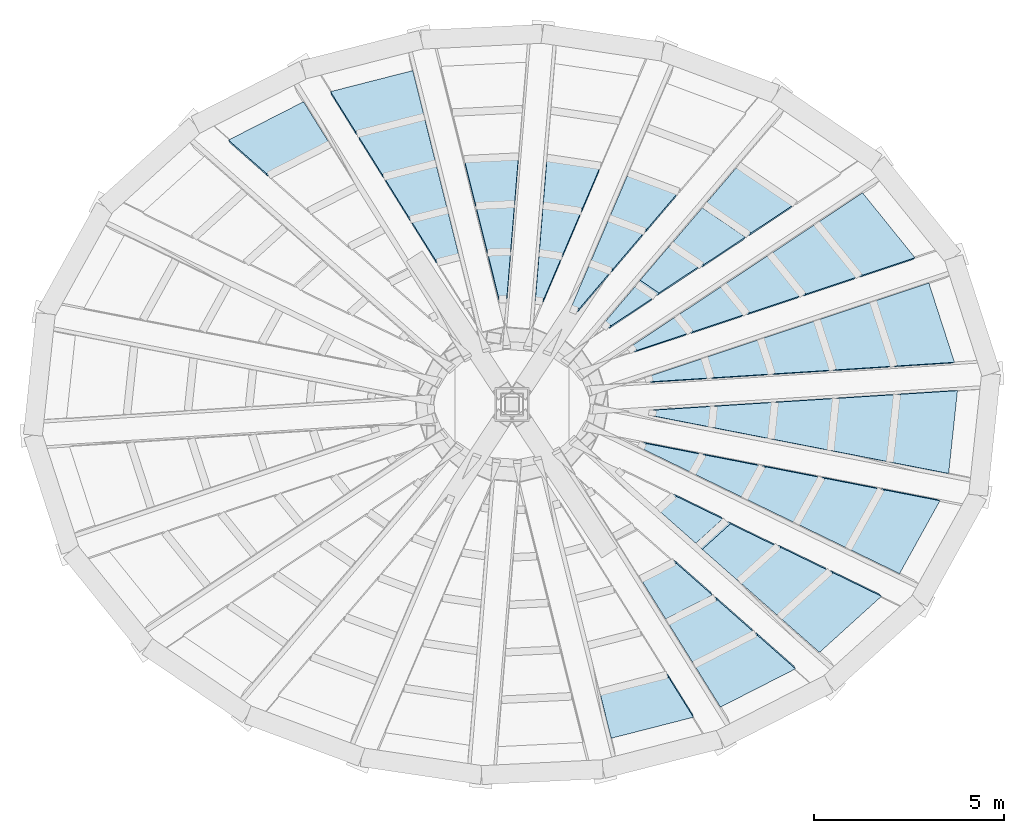
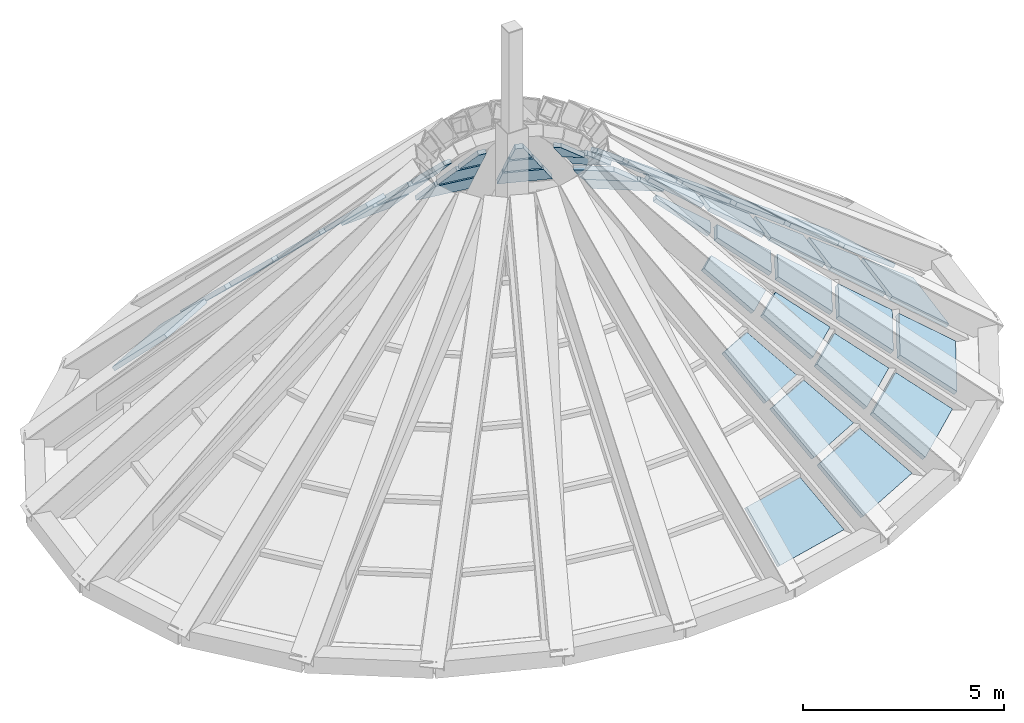
# One storey, part 7 of 9: 46 plates, 1 element without a shape of its own.
"""IFC4 building model written with IfcOpenShell, lengths in metres."""

import ifcopenshell
import ifcopenshell.guid

model = None  # the IFC model being written
_history = None  # IfcOwnerHistory: only IFC2X3 demands one
_inside = {}  # id of a spatial element -> (the spatial element, [elements in it])
_under = {}  # id of a project, library or spatial element -> (it, [spatial elements below it])
_declared = {}  # id of a project -> (the project, [libraries it declares])
_typed = {}  # id of a type object -> (the type object, [elements of that type])
_made_of = {}  # id of a material, layer set ... -> (it, [elements and type objects made of it])


def new_model(schema):
    """Start an empty IFC model of exactly this schema.

    Asked for "IFC4X3", IfcOpenShell would pick the latest addendum, in which some entities
    have other attributes; the version numbers below select the first issue.
    IFC2X3 requires an IfcOwnerHistory on every rooted entity: one is made here for all.
    """
    global model, _history
    if schema == "IFC4X3":
        model = ifcopenshell.file(schema_version=(4, 3, 0, 0))
    else:
        model = ifcopenshell.file(schema=schema)
    _inside.clear()
    _under.clear()
    _declared.clear()
    _typed.clear()
    _made_of.clear()
    _history = None
    if model.schema == "IFC2X3":
        org = make("IfcOrganization", Name="unknown")
        user = make(
            "IfcPersonAndOrganization",
            ThePerson=make("IfcPerson", FamilyName="unknown"),
            TheOrganization=org,
        )
        app = make(
            "IfcApplication",
            ApplicationDeveloper=org,
            Version="unknown",
            ApplicationFullName="unknown",
            ApplicationIdentifier="unknown",
        )
        _history = make(
            "IfcOwnerHistory",
            OwningUser=user,
            OwningApplication=app,
            ChangeAction="ADDED",
            CreationDate=0,
        )
    return model


def make(cls, **values):
    """One entity of the class cls with the attributes given. An attribute that is None is left unset."""
    return model.create_entity(
        cls, **{name: value for name, value in values.items() if value is not None}
    )


def rooted(cls, **values):
    """An entity with a GlobalId (a new one), such as an element, a storey or a relation."""
    return make(cls, GlobalId=ifcopenshell.guid.new(), OwnerHistory=_history, **values)


def si_unit(unit_type, name, prefix=None):
    """IfcSIUnit, for example si_unit("LENGTHUNIT", "METRE", prefix="MILLI")."""
    return make("IfcSIUnit", UnitType=unit_type, Prefix=prefix, Name=name)


def assignment(units):
    """IfcUnitAssignment: the units of a project."""
    return None if units is None else make("IfcUnitAssignment", Units=units)


def point(xyz):
    """IfcCartesianPoint."""
    return None if xyz is None else make("IfcCartesianPoint", Coordinates=xyz)


def direction(xyz):
    """IfcDirection."""
    return None if xyz is None else make("IfcDirection", DirectionRatios=xyz)


def frame(location, z_axis=None, x_axis=None):
    """IfcAxis2Placement3D, a coordinate frame: its origin and axes. An axis left out is left unset."""
    return make(
        "IfcAxis2Placement3D",
        Location=point(location),
        Axis=direction(z_axis),
        RefDirection=direction(x_axis),
    )


def origin():
    """The frame at (0, 0, 0) with its axes left unset."""
    return frame((0.0, 0.0, 0.0))


def place(relative_to, where):
    """IfcLocalPlacement: puts the frame where relative to a parent placement (None: the world)."""
    return make(
        "IfcLocalPlacement", PlacementRelTo=relative_to, RelativePlacement=where
    )


def context(
    kind, dimensions, precision=None, world=None, true_north=None, identifier=None
):
    """IfcGeometricRepresentationContext, for example the 3D "Model" context."""
    return make(
        "IfcGeometricRepresentationContext",
        ContextIdentifier=identifier,
        ContextType=kind,
        CoordinateSpaceDimension=dimensions,
        Precision=precision,
        WorldCoordinateSystem=world,
        TrueNorth=true_north,
    )


def subcontext(parent, identifier, kind, view, scale=None):
    """IfcGeometricRepresentationSubContext, for example "Body" below "Model"."""
    return make(
        "IfcGeometricRepresentationSubContext",
        ContextIdentifier=identifier,
        ContextType=kind,
        ParentContext=parent,
        TargetScale=scale,
        TargetView=view,
    )


def project(units=None, contexts=None):
    """IfcProject with its units and contexts."""
    return rooted(
        "IfcProject",
        Name="project",
        RepresentationContexts=contexts,
        UnitsInContext=assignment(units),
    )


def spatial(cls, under=None, at=None, **own):
    """A site, building, storey or space (cls), placed at a placement, below another one or the project."""
    s = rooted(cls, ObjectPlacement=at, **own)
    if under is not None:
        _under.setdefault(under.id(), (under, []))[1].append(s)
    return s


def polyline(points):
    """IfcPolyline through the points."""
    return make("IfcPolyline", Points=[point(p) for p in points])


def outline(outer, holes=None, kind="AREA"):
    """IfcArbitraryClosedProfileDef: a profile drawn as a closed curve; with holes, ...WithVoids."""
    if holes is None:
        return make("IfcArbitraryClosedProfileDef", ProfileType=kind, OuterCurve=outer)
    return make(
        "IfcArbitraryProfileDefWithVoids",
        ProfileType=kind,
        OuterCurve=outer,
        InnerCurves=holes,
    )


def extrude(swept, where, along, depth):
    """IfcExtrudedAreaSolid: the profile swept, set in the frame where, extruded along a direction by depth."""
    return make(
        "IfcExtrudedAreaSolid",
        SweptArea=swept,
        Position=where,
        ExtrudedDirection=direction(along),
        Depth=depth,
    )


def shape(context_of_items, identifier, shape_type, items):
    """IfcShapeRepresentation: the items that make up one representation, for example the "Body"."""
    return make(
        "IfcShapeRepresentation",
        ContextOfItems=context_of_items,
        RepresentationIdentifier=identifier,
        RepresentationType=shape_type,
        Items=items,
    )


def source(mapping_origin, context_of_items, identifier, shape_type, items):
    """IfcRepresentationMap: a shape defined once, which mapped items show again and again."""
    return make(
        "IfcRepresentationMap",
        MappingOrigin=mapping_origin,
        MappedRepresentation=shape(context_of_items, identifier, shape_type, items),
    )


def transform(
    local_origin,
    x_axis=None,
    y_axis=None,
    z_axis=None,
    scale=None,
    scale2=None,
    scale3=None,
    uniform=True,
):
    """IfcCartesianTransformationOperator3D, or its non-uniform kind. x_axis, y_axis, z_axis: its Axis1, 2, 3."""
    if uniform:
        return make(
            "IfcCartesianTransformationOperator3D",
            Axis1=direction(x_axis),
            Axis2=direction(y_axis),
            LocalOrigin=point(local_origin),
            Scale=scale,
            Axis3=direction(z_axis),
        )
    return make(
        "IfcCartesianTransformationOperator3DnonUniform",
        Axis1=direction(x_axis),
        Axis2=direction(y_axis),
        LocalOrigin=point(local_origin),
        Scale=scale,
        Axis3=direction(z_axis),
        Scale2=scale2,
        Scale3=scale3,
    )


def mapped(mapping_source, mapping_target):
    """IfcMappedItem: shows the shape of a source again, moved by a transform."""
    return make(
        "IfcMappedItem", MappingSource=mapping_source, MappingTarget=mapping_target
    )


def material(Name=None, Category=None):
    """IfcMaterial."""
    return make("IfcMaterial", Name=Name, Category=Category)


def layer(
    of_material, thickness, ventilated=None, Name=None, Category=None, Priority=None
):
    """IfcMaterialLayer: one layer of a wall or slab, of a material (None: an air gap)."""
    return make(
        "IfcMaterialLayer",
        Material=of_material,
        LayerThickness=thickness,
        IsVentilated=ventilated,
        Name=Name,
        Category=Category,
        Priority=Priority,
    )


def layer_set(layers, Name=None):
    """IfcMaterialLayerSet."""
    return make("IfcMaterialLayerSet", MaterialLayers=layers, LayerSetName=Name)


def made_of(thing, what):
    """Note that an element or type object is made of a material, layer set ...; save() writes the relation."""
    if what is not None:
        _made_of.setdefault(what.id(), (what, []))[1].append(thing)
    return thing


def type_object(cls, material=None, **own):
    """A type object (cls), such as IfcWallType, which elements share."""
    return made_of(rooted(cls, **own), material)


def element(
    cls,
    number,
    at=None,
    inside=None,
    cuts=None,
    type_object=None,
    material=None,
    context=None,
    identifier="Body",
    shape_type=None,
    held_by="IfcProductDefinitionShape",
    body=None,
    shapes=None,
    **own,
):
    """One element of the class cls, such as IfcWall. Its Tag is "e" and its number.

    at: its placement. inside: the storey or other place that contains it. cuts: it is an
    opening in that element (IfcRelVoidsElement). A single representation is given by context,
    identifier, shape_type and body (its items); several are given by shapes. held_by: the class
    of the entity that holds the representations. save() writes the other relations.
    """
    e = rooted(cls, Tag="e%d" % number, ObjectPlacement=at, **own)
    if body is not None:
        shapes = [shape(context, identifier, shape_type, body)]
    if shapes is not None:
        e.Representation = make(held_by, Representations=shapes)
    if inside is not None:
        _inside.setdefault(inside.id(), (inside, []))[1].append(e)
    if cuts is not None:
        rooted(
            "IfcRelVoidsElement", RelatingBuildingElement=cuts, RelatedOpeningElement=e
        )
    if type_object is not None:
        _typed.setdefault(type_object.id(), (type_object, []))[1].append(e)
    return made_of(e, material)


def aggregate(whole, parts):
    """IfcRelAggregates: a whole, such as a stair, and the parts it consists of."""
    return rooted("IfcRelAggregates", RelatingObject=whole, RelatedObjects=parts)


def save(model, path):
    """Write the relations noted so far, then the file.

    IfcRelAggregates (storeys below a building ...), IfcRelContainedInSpatialStructure (elements
    in a storey), IfcRelDefinesByType, IfcRelAssociatesMaterial and IfcRelDeclares: one each for
    every whole, place, type object, material and project.
    """
    for whole, parts in _under.values():
        aggregate(whole, parts)
    for where, things in _inside.values():
        rooted(
            "IfcRelContainedInSpatialStructure",
            RelatedElements=things,
            RelatingStructure=where,
        )
    for kind, things in _typed.values():
        rooted("IfcRelDefinesByType", RelatedObjects=things, RelatingType=kind)
    for what, things in _made_of.values():
        rooted("IfcRelAssociatesMaterial", RelatedObjects=things, RelatingMaterial=what)
    for by, libraries in _declared.values():
        rooted("IfcRelDeclares", RelatingContext=by, RelatedDefinitions=libraries)
    model.write(path)


model = new_model("IFC4")

# Units and contexts
model_context = context("Model", 3, precision=1e-05, world=origin(), true_north=direction((0.0, 1.0)))
body_context = subcontext(model_context, "Body", "Model", "MODEL_VIEW")
ifc_project = project(units=[si_unit("LENGTHUNIT", "METRE"), si_unit("AREAUNIT", "SQUARE_METRE"), si_unit("VOLUMEUNIT", "CUBIC_METRE"), si_unit("PLANEANGLEUNIT", "RADIAN"), si_unit("MASSUNIT", "GRAM", prefix="KILO")], contexts=[model_context])

# Site, building, storey
site_placement = place(None, origin())
site = spatial("IfcSite", under=ifc_project, at=site_placement, CompositionType="ELEMENT")
building_placement = place(site_placement, origin())
building = spatial("IfcBuilding", under=site, at=building_placement, Name="Embergate Tower", CompositionType="ELEMENT")
storey_placement = place(building_placement, frame((0.0, 0.0, 374.5)))
storey = spatial("IfcBuildingStorey", under=building, at=storey_placement, Name="Roof", CompositionType="ELEMENT", Elevation=374.5)

# Curtain wall, plates
ifc_material_1 = material(Name="Aluminium and glass", Category="aluminium")
curtain_wall_type = type_object("IfcCurtainWallType", Name="Crown facet glazing", PredefinedType="NOTDEFINED", material=ifc_material_1)
curtain_wall_placement = place(storey_placement, origin())
curtain_wall = element("IfcCurtainWall", 1, at=curtain_wall_placement, inside=storey, type_object=curtain_wall_type, Name="Crown facet glazing Roof", ObjectType="CROWN FACET GLAZING", PredefinedType="USERDEFINED")
ifc_material_2 = material(Name="Insulated metal panel with terracotta-glazed ceramic skin", Category="masonry")
ifc_layer = layer(ifc_material_2, 0.1201171875)
ifc_layer_set = layer_set([ifc_layer], Name="Insulated metal panel with terracotta-glazed ceramic skin")
plate_type = type_object("IfcPlateType", Name="Crown apex insulated panel", PredefinedType="CURTAIN_PANEL", material=ifc_layer_set)
shared_shape_1 = source(origin(), body_context, "Body", "SweptSolid", [
    extrude(outline(polyline([(0.0, 0.0), (2.1982421875, 0.0), (2.185302734375, 1.882080078125), (0.371337890625, 1.8818359375), (0.0, 0.0)])), origin(), (0.0, 0.0, -1.0), 0.1201171875),
])
plate_1_placement = place(storey_placement, frame((11.67041015625, 1.110595703125, 0.025146484375), z_axis=(0.598193162231, 0.193328318322, 0.777681877116), x_axis=(-0.307521334545, 0.95154118607, -3.468966e-06)))
plate_1 = element("IfcPlate", 2, at=plate_1_placement, type_object=plate_type, Name="CW panel 1.1", PredefinedType="CURTAIN_PANEL", context=body_context, shape_type="MappedRepresentation", body=[
    mapped(shared_shape_1, transform((0.0, 0.0, 0.0))),
])
shared_shape_2 = source(origin(), body_context, "Body", "SweptSolid", [
    extrude(outline(polyline([(0.0, 0.0), (1.769287109375, 0.0), (1.7568359375, 1.792724609375), (0.35400390625, 1.792724609375), (0.0, 0.0)])), origin(), (0.0, 0.0, -1.0), 0.1201171875),
])
plate_2_placement = place(storey_placement, frame((9.988525390625, 1.002685546875, 1.345703125), z_axis=(0.598158169079, 0.193322552866, 0.777710225802), x_axis=(-0.307551370828, 0.951531478233, 1.5263227e-05)))
plate_2 = element("IfcPlate", 3, at=plate_2_placement, type_object=plate_type, Name="CW panel 1.2", PredefinedType="CURTAIN_PANEL", context=body_context, shape_type="MappedRepresentation", body=[
    mapped(shared_shape_2, transform((0.0, 0.0, 0.0))),
])
shared_shape_3 = source(origin(), body_context, "Body", "SweptSolid", [
    extrude(outline(polyline([(0.0, 0.0), (1.3583984375, 0.0), (1.345947265625, 1.79248046875), (0.353759765625, 1.79248046875), (0.0, 0.0)])), origin(), (0.0, 0.0, -1.0), 0.1201171875),
])
plate_3_placement = place(storey_placement, frame((8.3779296875, 0.8994140625, 2.610107421875), z_axis=(0.598116752418, 0.193322094085, 0.77774219277), x_axis=(-0.307540600818, 0.951534959292, -9.701836e-06)))
plate_3 = element("IfcPlate", 4, at=plate_3_placement, type_object=plate_type, Name="CW panel 1.3", PredefinedType="CURTAIN_PANEL", context=body_context, shape_type="MappedRepresentation", body=[
    mapped(shared_shape_3, transform((0.0, 0.0, 0.0))),
])
shared_shape_4 = source(origin(), body_context, "Body", "SweptSolid", [
    extrude(outline(polyline([(0.0, 0.0), (0.94775390625, 0.0), (0.935546875, 1.79248046875), (0.353759765625, 1.79248046875), (0.0, 0.0)])), origin(), (0.0, 0.0, -1.0), 0.1201171875),
])
plate_4_placement = place(storey_placement, frame((6.767578125, 0.7958984375, 3.87451171875), z_axis=(0.598110017981, 0.193349774308, 0.777740490888), x_axis=(-0.307573635106, 0.951524281696, -1.8171473e-05)))
plate_4 = element("IfcPlate", 5, at=plate_4_placement, type_object=plate_type, Name="CW panel 1.4", PredefinedType="CURTAIN_PANEL", context=body_context, shape_type="MappedRepresentation", body=[
    mapped(shared_shape_4, transform((0.0, 0.0, 0.0))),
])
shared_shape_5 = source(origin(), body_context, "Body", "SweptSolid", [
    extrude(outline(polyline([(0.0, 0.0), (0.537109375, 0.0), (0.52490234375, 1.79248046875), (0.354248046875, 1.79248046875), (0.0, 0.0)])), origin(), (0.0, 0.0, -1.0), 0.1201171875),
])
plate_5_placement = place(storey_placement, frame((5.156982421875, 0.692626953125, 5.138671875), z_axis=(0.598213465306, 0.193405730719, 0.777647010701), x_axis=(-0.307707467742, 0.951481008572, 6.7988238e-05)))
plate_5 = element("IfcPlate", 6, at=plate_5_placement, type_object=plate_type, Name="CW panel 1.5", PredefinedType="CURTAIN_PANEL", context=body_context, shape_type="MappedRepresentation", body=[
    mapped(shared_shape_5, transform((0.0, 0.0, 0.0))),
])
shared_shape_6 = source(origin(), body_context, "Body", "SweptSolid", [
    extrude(outline(polyline([(0.0, 0.0), (2.202392578125, 0.0), (2.331298828125, 1.812744140625), (0.512939453125, 1.8125), (0.0, 0.0)])), origin(), (0.0, 0.0, -1.0), 0.1201171875),
])
plate_6_placement = place(storey_placement, frame((10.630126953125, 3.8671875, 0.026123046875), z_axis=(0.508296458404, 0.410357957093, 0.757126843682), x_axis=(-0.62813951963, 0.778100728226, -2.4740948e-05)))
plate_6 = element("IfcPlate", 7, at=plate_6_placement, type_object=plate_type, Name="CW panel 2.1", PredefinedType="CURTAIN_PANEL", context=body_context, shape_type="MappedRepresentation", body=[
    mapped(shared_shape_6, transform((0.0, 0.0, 0.0))),
])
shared_shape_7 = source(origin(), body_context, "Body", "SweptSolid", [
    extrude(outline(polyline([(0.0, 0.0), (1.773681640625, 0.0), (1.896728515625, 1.727294921875), (0.489013671875, 1.727294921875), (0.0, 0.0)])), origin(), (0.0, 0.0, -1.0), 0.1201171875),
])
plate_7_placement = place(storey_placement, frame((9.0791015625, 3.3505859375, 1.34765625), z_axis=(0.508307976596, 0.410396399686, 0.757098273709), x_axis=(-0.628183835486, 0.778064951532, -5.548136e-06)))
plate_7 = element("IfcPlate", 8, at=plate_7_placement, type_object=plate_type, Name="CW panel 2.2", PredefinedType="CURTAIN_PANEL", context=body_context, shape_type="MappedRepresentation", body=[
    mapped(shared_shape_7, transform((0.0, 0.0, 0.0))),
])
shared_shape_8 = source(origin(), body_context, "Body", "SweptSolid", [
    extrude(outline(polyline([(0.0, 0.0), (1.36328125, 0.0), (1.486083984375, 1.7275390625), (0.48876953125, 1.727294921875), (0.0, 0.0)])), origin(), (0.0, 0.0, -1.0), 0.1201171875),
])
plate_8_placement = place(storey_placement, frame((7.593017578125, 2.85595703125, 2.613525390625), z_axis=(0.508316758438, 0.410288101275, 0.757151072801), x_axis=(-0.628077625983, 0.778150689595, -4.736244e-06)))
plate_8 = element("IfcPlate", 9, at=plate_8_placement, type_object=plate_type, Name="CW panel 2.3", PredefinedType="CURTAIN_PANEL", context=body_context, shape_type="MappedRepresentation", body=[
    mapped(shared_shape_8, transform((0.0, 0.0, 0.0))),
])
shared_shape_9 = source(origin(), body_context, "Body", "SweptSolid", [
    extrude(outline(polyline([(0.0, 0.0), (0.952880859375, 0.0), (1.07568359375, 1.7275390625), (0.48876953125, 1.727294921875), (0.0, 0.0)])), origin(), (0.0, 0.0, -1.0), 0.1201171875),
])
plate_9_placement = place(storey_placement, frame((6.107177734375, 2.361083984375, 3.87939453125), z_axis=(0.508320637984, 0.410323628909, 0.757129215233), x_axis=(-0.628066613025, 0.778159576873, -5.0242445e-05)))
plate_9 = element("IfcPlate", 10, at=plate_9_placement, type_object=plate_type, Name="CW panel 2.4", PredefinedType="CURTAIN_PANEL", context=body_context, shape_type="MappedRepresentation", body=[
    mapped(shared_shape_9, transform((0.0, 0.0, 0.0))),
])
shared_shape_10 = source(origin(), body_context, "Body", "SweptSolid", [
    extrude(outline(polyline([(0.0, 0.0), (0.542236328125, 0.0), (0.6650390625, 1.727294921875), (0.48876953125, 1.727294921875), (0.0, 0.0)])), origin(), (0.0, 0.0, -1.0), 0.1201171875),
])
plate_10_placement = place(storey_placement, frame((4.62109375, 1.866455078125, 5.145263671875), z_axis=(0.508302495641, 0.410415421153, 0.757091642408), x_axis=(-0.628174948703, 0.77807212536, -3.9499699e-05)))
plate_10 = element("IfcPlate", 11, at=plate_10_placement, type_object=plate_type, Name="CW panel 2.5", PredefinedType="CURTAIN_PANEL", context=body_context, shape_type="MappedRepresentation", body=[
    mapped(shared_shape_10, transform((0.0, 0.0, 0.0))),
])
shared_shape_11 = source(origin(), body_context, "Body", "SweptSolid", [
    extrude(outline(polyline([(0.0, 0.0), (1.78564453125, 0.0), (1.91845703125, 1.66162109375), (0.498291015625, 1.66162109375), (0.0, 0.0)])), origin(), (0.0, 0.0, -1.0), 0.1201171875),
])
plate_11_placement = place(storey_placement, frame((7.398193359375, 5.24609375, 1.35009765625), z_axis=(0.382386824934, 0.562623075299, 0.732963567483), x_axis=(-0.827067990154, 0.56210189426, 1.1469027e-05)))
plate_11 = element("IfcPlate", 12, at=plate_11_placement, type_object=plate_type, Name="CW panel 3.2", PredefinedType="CURTAIN_PANEL", context=body_context, shape_type="MappedRepresentation", body=[
    mapped(shared_shape_11, transform((0.0, 0.0, 0.0))),
])
shared_shape_12 = source(origin(), body_context, "Body", "SweptSolid", [
    extrude(outline(polyline([(0.0, 0.0), (1.37548828125, 0.0), (1.50830078125, 1.661865234375), (0.498291015625, 1.66162109375), (0.0, 0.0)])), origin(), (0.0, 0.0, -1.0), 0.1201171875),
])
plate_12_placement = place(storey_placement, frame((6.15673828125, 4.413818359375, 2.595703125), z_axis=(0.382408022245, 0.5627497516, 0.732855252827), x_axis=(-0.82708907907, 0.562070862577, -2.6934854e-05)))
plate_12 = element("IfcPlate", 13, at=plate_12_placement, type_object=plate_type, Name="CW panel 3.3", PredefinedType="CURTAIN_PANEL", context=body_context, shape_type="MappedRepresentation", body=[
    mapped(shared_shape_12, transform((0.0, 0.0, 0.0))),
])
shared_shape_13 = source(origin(), body_context, "Body", "SweptSolid", [
    extrude(outline(polyline([(0.0, 0.0), (0.96533203125, 0.0), (1.09814453125, 1.661865234375), (0.49853515625, 1.66162109375), (0.0, 0.0)])), origin(), (0.0, 0.0, -1.0), 0.1201171875),
])
plate_13_placement = place(storey_placement, frame((4.97265625, 3.666015625, 3.951416015625), z_axis=(0.382349286161, 0.56280286375, 0.732845113191), x_axis=(-0.827140346437, 0.561995413565, -4.9269829e-05)))
plate_13 = element("IfcPlate", 14, at=plate_13_placement, type_object=plate_type, Name="CW panel 3.4", PredefinedType="CURTAIN_PANEL", context=body_context, shape_type="MappedRepresentation", body=[
    mapped(shared_shape_13, transform((0.0, 0.0, 0.0))),
])
shared_shape_14 = source(origin(), body_context, "Body", "SweptSolid", [
    extrude(outline(polyline([(0.0, 0.0), (0.555419921875, 0.0), (0.6884765625, 1.661376953125), (0.498779296875, 1.661376953125), (0.0, 0.0)])), origin(), (0.0, 0.0, -1.0), 0.1201171875),
])
plate_14_placement = place(storey_placement, frame((3.70849609375, 2.800048828125, 5.1533203125), z_axis=(0.382123163301, 0.562929397511, 0.732865868687), x_axis=(-0.827331093721, 0.561714566225, -8.6329179e-05)))
plate_14 = element("IfcPlate", 15, at=plate_14_placement, type_object=plate_type, Name="CW panel 3.5", PredefinedType="CURTAIN_PANEL", context=body_context, shape_type="MappedRepresentation", body=[
    mapped(shared_shape_14, transform((0.0, 0.0, 0.0))),
])
shared_shape_15 = source(origin(), body_context, "Body", "SweptSolid", [
    extrude(outline(polyline([(0.0, 0.0), (1.39306640625, 0.0), (1.4462890625, 1.61572265625), (0.418701171875, 1.61572265625), (0.0, 0.0)])), origin(), (0.0, 0.0, -1.0), 0.1201171875),
])
plate_15_placement = place(storey_placement, frame((4.348876953125, 5.55078125, 2.62109375), z_axis=(0.244890645798, 0.656315409353, 0.713637621658), x_axis=(-0.936896773777, 0.349606113886, -2.0491873e-05)))
plate_15 = element("IfcPlate", 16, at=plate_15_placement, type_object=plate_type, Name="CW panel 4.3", PredefinedType="CURTAIN_PANEL", context=body_context, shape_type="MappedRepresentation", body=[
    mapped(shared_shape_15, transform((0.0, 0.0, 0.0))),
])
shared_shape_16 = source(origin(), body_context, "Body", "SweptSolid", [
    extrude(outline(polyline([(0.0, 0.0), (0.983154296875, 0.0), (1.036376953125, 1.61572265625), (0.4189453125, 1.615966796875), (0.0, 0.0)])), origin(), (0.0, 0.0, -1.0), 0.1201171875),
])
plate_16_placement = place(storey_placement, frame((3.45703125, 4.50390625, 3.89013671875), z_axis=(0.244943668321, 0.656389184479, 0.713551566356), x_axis=(-0.936932073815, 0.349511482615, 0.000112146188)))
plate_16 = element("IfcPlate", 17, at=plate_16_placement, type_object=plate_type, Name="CW panel 4.4", PredefinedType="CURTAIN_PANEL", context=body_context, shape_type="MappedRepresentation", body=[
    mapped(shared_shape_16, transform((0.0, 0.0, 0.0))),
])
shared_shape_17 = source(origin(), body_context, "Body", "SweptSolid", [
    extrude(outline(polyline([(0.0, 0.0), (0.572998046875, 0.0), (0.62646484375, 1.61572265625), (0.418701171875, 1.615966796875), (0.0, 0.0)])), origin(), (0.0, 0.0, -1.0), 0.1201171875),
])
plate_17_placement = place(storey_placement, frame((2.565185546875, 3.456787109375, 5.1591796875), z_axis=(0.244941381184, 0.656390320239, 0.713551306691), x_axis=(-0.936935199536, 0.349503101694, 0.000117369288)))
plate_17 = element("IfcPlate", 18, at=plate_17_placement, type_object=plate_type, Name="CW panel 4.5", PredefinedType="CURTAIN_PANEL", context=body_context, shape_type="MappedRepresentation", body=[
    mapped(shared_shape_17, transform((0.0, 0.0, 0.0))),
])
shared_shape_18 = source(origin(), body_context, "Body", "SweptSolid", [
    extrude(outline(polyline([(0.0, 0.0), (1.40625, 0.0), (1.33251953125, 1.591552734375), (0.291748046875, 1.591552734375), (0.0, 0.0)])), origin(), (0.0, 0.0, -1.0), 0.1201171875),
])
plate_18_placement = place(storey_placement, frame((2.308349609375, 6.224853515625, 2.622802734375), z_axis=(0.104850310195, 0.704187754041, 0.70222932117), x_axis=(-0.989099259264, 0.147250313534, 2.2067689e-05)))
plate_18 = element("IfcPlate", 19, at=plate_18_placement, type_object=plate_type, Name="CW panel 5.3", PredefinedType="CURTAIN_PANEL", context=body_context, shape_type="MappedRepresentation", body=[
    mapped(shared_shape_18, transform((0.0, 0.0, 0.0))),
])
shared_shape_19 = source(origin(), body_context, "Body", "SweptSolid", [
    extrude(outline(polyline([(0.0, 0.0), (0.996337890625, 0.0), (0.92236328125, 1.59130859375), (0.291748046875, 1.59130859375), (0.0, 0.0)])), origin(), (0.0, 0.0, -1.0), 0.1201171875),
])
plate_19_placement = place(storey_placement, frame((1.80029296875, 5.03369140625, 3.89306640625), z_axis=(0.104780629624, 0.704091651869, 0.702336077262), x_axis=(-0.989103390675, 0.147222558733, -2.7477632e-05)))
plate_19 = element("IfcPlate", 20, at=plate_19_placement, type_object=plate_type, Name="CW panel 5.4", PredefinedType="CURTAIN_PANEL", context=body_context, shape_type="MappedRepresentation", body=[
    mapped(shared_shape_19, transform((0.0, 0.0, 0.0))),
])
shared_shape_20 = source(origin(), body_context, "Body", "SweptSolid", [
    extrude(outline(polyline([(0.0, 0.0), (0.586181640625, 0.0), (0.51220703125, 1.591552734375), (0.29150390625, 1.591552734375), (0.0, 0.0)])), origin(), (0.0, 0.0, -1.0), 0.1201171875),
])
plate_20_placement = place(storey_placement, frame((1.292236328125, 3.84228515625, 5.1630859375), z_axis=(0.104899324295, 0.704139406817, 0.702270480321), x_axis=(-0.989079044708, 0.147386030156, -3.7860602e-05)))
plate_20 = element("IfcPlate", 21, at=plate_20_placement, type_object=plate_type, Name="CW panel 5.5", PredefinedType="CURTAIN_PANEL", context=body_context, shape_type="MappedRepresentation", body=[
    mapped(shared_shape_20, transform((0.0, 0.0, 0.0))),
])
shared_shape_21 = source(origin(), body_context, "Body", "SweptSolid", [
    extrude(outline(polyline([(0.0, 0.0), (1.408935546875, 0.0), (1.18896484375, 1.5869140625), (0.145751953125, 1.5869140625), (0.0, 0.0)])), origin(), (0.0, 0.0, -1.0), 0.1201171875),
])
plate_21_placement = place(storey_placement, frame((0.1640625, 6.468994140625, 2.623291015625), z_axis=(-0.034764458657, 0.713204599695, 0.700093301917), x_axis=(-0.998813960053, -0.048689559372, 3.415374e-06)))
plate_21 = element("IfcPlate", 22, at=plate_21_placement, type_object=plate_type, Name="CW panel 6.3", PredefinedType="CURTAIN_PANEL", context=body_context, shape_type="MappedRepresentation", body=[
    mapped(shared_shape_21, transform((0.0, 0.0, 0.0))),
])
shared_shape_22 = source(origin(), body_context, "Body", "SweptSolid", [
    extrude(outline(polyline([(0.0, 0.0), (0.998779296875, 0.0), (0.779296875, 1.5869140625), (0.145751953125, 1.5869140625), (0.0, 0.0)])), origin(), (0.0, 0.0, -1.0), 0.1201171875),
])
plate_22_placement = place(storey_placement, frame((0.061279296875, 5.21728515625, 3.8935546875), z_axis=(-0.034922810519, 0.713194277209, 0.70009593647), x_axis=(-0.998803737421, -0.048898814126, -9.540508e-06)))
plate_22 = element("IfcPlate", 23, at=plate_22_placement, type_object=plate_type, Name="CW panel 6.4", PredefinedType="CURTAIN_PANEL", context=body_context, shape_type="MappedRepresentation", body=[
    mapped(shared_shape_22, transform((0.0, 0.0, 0.0))),
])
shared_shape_23 = source(origin(), body_context, "Body", "SweptSolid", [
    extrude(outline(polyline([(0.0, 0.0), (0.589111328125, 0.0), (0.368896484375, 1.586669921875), (0.1455078125, 1.586669921875), (0.0, 0.0)])), origin(), (0.0, 0.0, -1.0), 0.1201171875),
])
plate_23_placement = place(storey_placement, frame((-0.041259765625, 3.96533203125, 5.163818359375), z_axis=(-0.034760955848, 0.713243316286, 0.700054032002), x_axis=(-0.99881897354, -0.048586512893, -9.4130816e-05)))
plate_23 = element("IfcPlate", 24, at=plate_23_placement, type_object=plate_type, Name="CW panel 6.5", PredefinedType="CURTAIN_PANEL", context=body_context, shape_type="MappedRepresentation", body=[
    mapped(shared_shape_23, transform((0.0, 0.0, 0.0))),
])
shared_shape_24 = source(origin(), body_context, "Body", "SweptSolid", [
    extrude(outline(polyline([(0.0, 0.0), (2.238037109375, 0.0), (1.862060546875, 1.677734375), (0.00732421875, 1.677734375), (0.0, 0.0)])), origin(), (0.0, 0.0, -1.0), 0.1201171875),
])
plate_24_placement = place(storey_placement, frame((-2.6171875, 8.8046875, 0.0283203125), z_axis=(-0.175137306786, 0.685318061701, 0.706870623295), x_axis=(-0.968860672422, -0.247606537419, 7.898857e-06)))
plate_24 = element("IfcPlate", 25, at=plate_24_placement, type_object=plate_type, Name="CW panel 7.1", PredefinedType="CURTAIN_PANEL", context=body_context, shape_type="MappedRepresentation", body=[
    mapped(shared_shape_24, transform((0.0, 0.0, 0.0))),
])
plate_25_placement = place(storey_placement, frame((2.6171875, -8.8046875, 0.0283203125), z_axis=(0.175137306786, -0.685318061701, 0.706870623295), x_axis=(0.968860672422, 0.247606537419, 7.898857e-06)))
plate_25 = element("IfcPlate", 26, at=plate_25_placement, type_object=plate_type, Name="CW panel 18.1", PredefinedType="CURTAIN_PANEL", context=body_context, shape_type="MappedRepresentation", body=[
    mapped(shared_shape_24, transform((0.0, 0.0, 0.0))),
])
shared_shape_25 = source(origin(), body_context, "Body", "SweptSolid", [
    extrude(outline(polyline([(0.0, 0.0), (1.810302734375, 0.0), (1.451171875, 1.60107421875), (0.006591796875, 1.60107421875), (0.0, 0.0)])), origin(), (0.0, 0.0, -1.0), 0.1201171875),
])
plate_26_placement = place(storey_placement, frame((-2.297607421875, 7.5205078125, 1.352294921875), z_axis=(-0.175087650878, 0.685335511028, 0.706866006987), x_axis=(-0.968886612849, -0.247505011915, -2.2786763e-05)))
plate_26 = element("IfcPlate", 27, at=plate_26_placement, type_object=plate_type, Name="CW panel 7.2", PredefinedType="CURTAIN_PANEL", context=body_context, shape_type="MappedRepresentation", body=[
    mapped(shared_shape_25, transform((0.0, 0.0, 0.0))),
])
shared_shape_26 = source(origin(), body_context, "Body", "SweptSolid", [
    extrude(outline(polyline([(0.0, 0.0), (1.400390625, 0.0), (1.041259765625, 1.60107421875), (0.0068359375, 1.60107421875), (0.0, 0.0)])), origin(), (0.0, 0.0, -1.0), 0.1201171875),
])
plate_27_placement = place(storey_placement, frame((-1.990966796875, 6.289306640625, 2.6220703125), z_axis=(-0.175117875524, 0.685364127659, 0.706830773375), x_axis=(-0.968870554844, -0.247567865124, 1.0724908e-05)))
plate_27 = element("IfcPlate", 28, at=plate_27_placement, type_object=plate_type, Name="CW panel 7.3", PredefinedType="CURTAIN_PANEL", context=body_context, shape_type="MappedRepresentation", body=[
    mapped(shared_shape_26, transform((0.0, 0.0, 0.0))),
])
shared_shape_27 = source(origin(), body_context, "Body", "SweptSolid", [
    extrude(outline(polyline([(0.0, 0.0), (0.990478515625, 0.0), (0.63134765625, 1.60107421875), (0.0068359375, 1.601318359375), (0.0, 0.0)])), origin(), (0.0, 0.0, -1.0), 0.1201171875),
])
plate_28_placement = place(storey_placement, frame((-1.68408203125, 5.05810546875, 3.891845703125), z_axis=(-0.174931652097, 0.685398465736, 0.706843589673), x_axis=(-0.968918459317, -0.247380298511, 8.4276377e-05)))
plate_28 = element("IfcPlate", 29, at=plate_28_placement, type_object=plate_type, Name="CW panel 7.4", PredefinedType="CURTAIN_PANEL", context=body_context, shape_type="MappedRepresentation", body=[
    mapped(shared_shape_27, transform((0.0, 0.0, 0.0))),
])
shared_shape_28 = source(origin(), body_context, "Body", "SweptSolid", [
    extrude(outline(polyline([(0.0, 0.0), (2.221923828125, 0.0), (1.73291015625, 1.71533203125), (-0.10595703125, 1.71533203125), (0.0, 0.0)])), origin(), (0.0, 0.0, -1.0), 0.1201171875),
])
plate_29_placement = place(storey_placement, frame((-5.49853515625, 7.983154296875, 0.027587890625), z_axis=(-0.314299047361, 0.616041101428, 0.722294586841), x_axis=(-0.890769217259, -0.454455940161, -6.061897e-06)))
plate_29 = element("IfcPlate", 30, at=plate_29_placement, type_object=plate_type, Name="CW panel 8.1", PredefinedType="CURTAIN_PANEL", context=body_context, shape_type="MappedRepresentation", body=[
    mapped(shared_shape_28, transform((0.0, 0.0, 0.0))),
])
plate_30_placement = place(storey_placement, frame((5.49853515625, -7.983154296875, 0.027587890625), z_axis=(0.314299047361, -0.616041101428, 0.722294586841), x_axis=(0.890769217259, 0.454455940161, -6.061897e-06)))
plate_30 = element("IfcPlate", 31, at=plate_30_placement, type_object=plate_type, Name="CW panel 19.1", PredefinedType="CURTAIN_PANEL", context=body_context, shape_type="MappedRepresentation", body=[
    mapped(shared_shape_28, transform((0.0, 0.0, 0.0))),
])
shared_shape_29 = source(origin(), body_context, "Body", "SweptSolid", [
    extrude(outline(polyline([(0.0, 0.0), (1.79443359375, 0.0), (1.32763671875, 1.635986328125), (-0.10107421875, 1.635986328125), (0.0, 0.0)])), origin(), (0.0, 0.0, -1.0), 0.1201171875),
])
plate_31_placement = place(storey_placement, frame((4.764892578125, -6.8056640625, 1.35107421875), z_axis=(0.314337053375, -0.615997958289, 0.72231484289), x_axis=(0.890727263429, 0.454538163542, 8.302971e-06)))
plate_31 = element("IfcPlate", 32, at=plate_31_placement, type_object=plate_type, Name="CW panel 19.2", PredefinedType="CURTAIN_PANEL", context=body_context, shape_type="MappedRepresentation", body=[
    mapped(shared_shape_29, transform((0.0, 0.0, 0.0))),
])
shared_shape_30 = source(origin(), body_context, "Body", "SweptSolid", [
    extrude(outline(polyline([(0.0, 0.0), (1.384521484375, 0.0), (0.917724609375, 1.635986328125), (-0.100830078125, 1.63623046875), (0.0, 0.0)])), origin(), (0.0, 0.0, -1.0), 0.1201171875),
])
plate_32_placement = place(storey_placement, frame((4.05224609375, -5.658447265625, 2.597900390625), z_axis=(0.314310747379, -0.615976002016, 0.722345013842), x_axis=(0.89071570023, 0.45456081962, 5.1275914e-05)))
plate_32 = element("IfcPlate", 33, at=plate_32_placement, type_object=plate_type, Name="CW panel 19.3", PredefinedType="CURTAIN_PANEL", context=body_context, shape_type="MappedRepresentation", body=[
    mapped(shared_shape_30, transform((0.0, 0.0, 0.0))),
])
shared_shape_31 = source(origin(), body_context, "Body", "SweptSolid", [
    extrude(outline(polyline([(0.0, 0.0), (2.20654296875, 0.0), (1.67431640625, 1.775634765625), (-0.148681640625, 1.775634765625), (0.0, 0.0)])), origin(), (0.0, 0.0, -1.0), 0.1201171875),
])
plate_33_placement = place(storey_placement, frame((8.110107421875, -6.540771484375, 0.026611328125), z_axis=(0.447996241954, -0.494530279901, 0.744808142716), x_axis=(0.741106982002, 0.671386953337, 1.0788191e-05)))
plate_33 = element("IfcPlate", 34, at=plate_33_placement, type_object=plate_type, Name="CW panel 20.1", PredefinedType="CURTAIN_PANEL", context=body_context, shape_type="MappedRepresentation", body=[
    mapped(shared_shape_31, transform((0.0, 0.0, 0.0))),
])
shared_shape_32 = source(origin(), body_context, "Body", "SweptSolid", [
    extrude(outline(polyline([(0.0, 0.0), (1.7783203125, 0.0), (1.27099609375, 1.692626953125), (-0.141357421875, 1.692626953125), (0.0, 0.0)])), origin(), (0.0, 0.0, -1.0), 0.1201171875),
])
plate_34_placement = place(storey_placement, frame((6.99658203125, -5.55859375, 1.348876953125), z_axis=(0.447992557776, -0.494502098532, 0.744829069468), x_axis=(0.741072265199, 0.671425272463, 3.5372756e-05)))
plate_34 = element("IfcPlate", 35, at=plate_34_placement, type_object=plate_type, Name="CW panel 20.2", PredefinedType="CURTAIN_PANEL", context=body_context, shape_type="MappedRepresentation", body=[
    mapped(shared_shape_32, transform((0.0, 0.0, 0.0))),
])
shared_shape_33 = source(origin(), body_context, "Body", "SweptSolid", [
    extrude(outline(polyline([(0.0, 0.0), (1.3681640625, 0.0), (0.8603515625, 1.692626953125), (-0.141845703125, 1.6923828125), (0.0, 0.0)])), origin(), (0.0, 0.0, -1.0), 0.1201171875),
])
plate_35_placement = place(storey_placement, frame((5.9697265625, -4.66162109375, 2.6826171875), z_axis=(0.447906871408, -0.494642589155, 0.744787314299), x_axis=(0.741282877647, 0.671192739952, -3.3808099e-05)))
plate_35 = element("IfcPlate", 36, at=plate_35_placement, type_object=plate_type, Name="CW panel 20.3", PredefinedType="CURTAIN_PANEL", context=body_context, shape_type="MappedRepresentation", body=[
    mapped(shared_shape_33, transform((0.0, 0.0, 0.0))),
])
shared_shape_34 = source(origin(), body_context, "Body", "SweptSolid", [
    extrude(outline(polyline([(0.0, 0.0), (0.957763671875, 0.0), (0.449951171875, 1.6923828125), (-0.141845703125, 1.6923828125), (0.0, 0.0)])), origin(), (0.0, 0.0, -1.0), 0.1201171875),
])
plate_36_placement = place(storey_placement, frame((4.84912109375, -3.6611328125, 3.860107421875), z_axis=(0.447901890097, -0.494689763593, 0.744758977551), x_axis=(0.741290346589, 0.671184491806, 3.69278e-06)))
plate_36 = element("IfcPlate", 37, at=plate_36_placement, type_object=plate_type, Name="CW panel 20.4", PredefinedType="CURTAIN_PANEL", context=body_context, shape_type="MappedRepresentation", body=[
    mapped(shared_shape_34, transform((0.0, 0.0, 0.0))),
])
shared_shape_35 = source(origin(), body_context, "Body", "SweptSolid", [
    extrude(outline(polyline([(0.0, 0.0), (2.199462890625, 0.0), (1.739501953125, 1.849853515625), (-0.07568359375, 1.849853515625), (0.0, 0.0)])), origin(), (0.0, 0.0, -1.0), 0.1201171875),
])
plate_37_placement = place(storey_placement, frame((10.22216796875, -4.4638671875, 0.025634765625), z_axis=(0.559753750147, -0.309655976869, 0.768627943277), x_axis=(0.484073432705, 0.875027377695, -5.804988e-06)))
plate_37 = element("IfcPlate", 38, at=plate_37_placement, type_object=plate_type, Name="CW panel 21.1", PredefinedType="CURTAIN_PANEL", context=body_context, shape_type="MappedRepresentation", body=[
    mapped(shared_shape_35, transform((0.0, 0.0, 0.0))),
])
shared_shape_36 = source(origin(), body_context, "Body", "SweptSolid", [
    extrude(outline(polyline([(0.0, 0.0), (1.77099609375, 0.0), (1.33251953125, 1.7626953125), (-0.072265625, 1.762451171875), (0.0, 0.0)])), origin(), (0.0, 0.0, -1.0), 0.1201171875),
])
plate_38_placement = place(storey_placement, frame((8.79248046875, -3.769775390625, 1.346435546875), z_axis=(0.559817785852, -0.309714689642, 0.768557647586), x_axis=(0.484130941218, 0.874995560331, -3.4002874e-05)))
plate_38 = element("IfcPlate", 39, at=plate_38_placement, type_object=plate_type, Name="CW panel 21.2", PredefinedType="CURTAIN_PANEL", context=body_context, shape_type="MappedRepresentation", body=[
    mapped(shared_shape_36, transform((0.0, 0.0, 0.0))),
])
shared_shape_37 = source(origin(), body_context, "Body", "SweptSolid", [
    extrude(outline(polyline([(0.0, 0.0), (1.35986328125, 0.0), (0.921630859375, 1.762451171875), (-0.072509765625, 1.762451171875), (0.0, 0.0)])), origin(), (0.0, 0.0, -1.0), 0.1201171875),
])
plate_39_placement = place(storey_placement, frame((7.423583984375, -3.10498046875, 2.611572265625), z_axis=(0.55970463689, -0.309774887345, 0.768615793888), x_axis=(0.484195835053, 0.874959651284, 4.4070608e-05)))
plate_39 = element("IfcPlate", 40, at=plate_39_placement, type_object=plate_type, Name="CW panel 21.3", PredefinedType="CURTAIN_PANEL", context=body_context, shape_type="MappedRepresentation", body=[
    mapped(shared_shape_37, transform((0.0, 0.0, 0.0))),
])
shared_shape_38 = source(origin(), body_context, "Body", "SweptSolid", [
    extrude(outline(polyline([(0.0, 0.0), (0.94921875, 0.0), (0.5107421875, 1.76220703125), (-0.072509765625, 1.762451171875), (0.0, 0.0)])), origin(), (0.0, 0.0, -1.0), 0.1201171875),
])
plate_40_placement = place(storey_placement, frame((6.054443359375, -2.440185546875, 3.87646484375), z_axis=(0.559800398622, -0.309727721549, 0.76856506049), x_axis=(0.484207580735, 0.874953148561, -8.1127217e-05)))
plate_40 = element("IfcPlate", 41, at=plate_40_placement, type_object=plate_type, Name="CW panel 21.4", PredefinedType="CURTAIN_PANEL", context=body_context, shape_type="MappedRepresentation", body=[
    mapped(shared_shape_38, transform((0.0, 0.0, 0.0))),
])
shared_shape_39 = source(origin(), body_context, "Body", "SweptSolid", [
    extrude(outline(polyline([(0.0, 0.0), (0.53857421875, 0.0), (0.10009765625, 1.762451171875), (-0.07275390625, 1.762451171875), (0.0, 0.0)])), origin(), (0.0, 0.0, -1.0), 0.1201171875),
])
plate_41_placement = place(storey_placement, frame((4.685546875, -1.775390625, 5.1416015625), z_axis=(0.559702201591, -0.309823384247, 0.768598019844), x_axis=(0.484229585587, 0.874940971564, 6.8706523e-05)))
plate_41 = element("IfcPlate", 42, at=plate_41_placement, type_object=plate_type, Name="CW panel 21.5", PredefinedType="CURTAIN_PANEL", context=body_context, shape_type="MappedRepresentation", body=[
    mapped(shared_shape_39, transform((0.0, 0.0, 0.0))),
])
shared_shape_40 = source(origin(), body_context, "Body", "SweptSolid", [
    extrude(outline(polyline([(0.0, 0.0), (2.19873046875, 0.0), (1.943359375, 1.900634765625), (0.12890625, 1.900634765625), (0.0, 0.0)])), origin(), (0.0, 0.0, -1.0), 0.1201171875),
])
plate_42_placement = place(storey_placement, frame((11.5166015625, -1.82177734375, 0.02490234375), z_axis=(0.618714634008, -0.065781246339, 0.782856966051), x_axis=(0.105710239254, 0.994396975663, 1.0474997e-05)))
plate_42 = element("IfcPlate", 43, at=plate_42_placement, type_object=plate_type, Name="CW panel 22.1", PredefinedType="CURTAIN_PANEL", context=body_context, shape_type="MappedRepresentation", body=[
    mapped(shared_shape_40, transform((0.0, 0.0, 0.0))),
])
shared_shape_41 = source(origin(), body_context, "Body", "SweptSolid", [
    extrude(outline(polyline([(0.0, 0.0), (1.77001953125, 0.0), (1.526611328125, 1.810302734375), (0.122802734375, 1.81005859375), (0.0, 0.0)])), origin(), (0.0, 0.0, -1.0), 0.1201171875),
])
plate_43_placement = place(storey_placement, frame((9.880126953125, -1.503173828125, 1.34521484375), z_axis=(0.618802972359, -0.065819918542, 0.782783890817), x_axis=(0.105786900288, 0.994388823118, -1.3614227e-05)))
plate_43 = element("IfcPlate", 44, at=plate_43_placement, type_object=plate_type, Name="CW panel 22.2", PredefinedType="CURTAIN_PANEL", context=body_context, shape_type="MappedRepresentation", body=[
    mapped(shared_shape_41, transform((0.0, 0.0, 0.0))),
])
shared_shape_42 = source(origin(), body_context, "Body", "SweptSolid", [
    extrude(outline(polyline([(0.0, 0.0), (1.359130859375, 0.0), (1.115966796875, 1.810302734375), (0.122802734375, 1.810302734375), (0.0, 0.0)])), origin(), (0.0, 0.0, -1.0), 0.1201171875),
])
plate_44_placement = place(storey_placement, frame((8.313720703125, -1.197998046875, 2.609130859375), z_axis=(0.618765862894, -0.06587424905, 0.782808654927), x_axis=(0.105822593454, 0.994385024876, 3.1883179e-05)))
plate_44 = element("IfcPlate", 45, at=plate_44_placement, type_object=plate_type, Name="CW panel 22.3", PredefinedType="CURTAIN_PANEL", context=body_context, shape_type="MappedRepresentation", body=[
    mapped(shared_shape_42, transform((0.0, 0.0, 0.0))),
])
shared_shape_43 = source(origin(), body_context, "Body", "SweptSolid", [
    extrude(outline(polyline([(0.0, 0.0), (0.948486328125, 0.0), (0.705078125, 1.810302734375), (0.12255859375, 1.81005859375), (0.0, 0.0)])), origin(), (0.0, 0.0, -1.0), 0.1201171875),
])
plate_45_placement = place(storey_placement, frame((6.7470703125, -0.892822265625, 3.873046875), z_axis=(0.618808802414, -0.065790608724, 0.782781745992), x_axis=(0.10576800726, 0.994390832272, -3.6530926e-05)))
plate_45 = element("IfcPlate", 46, at=plate_45_placement, type_object=plate_type, Name="CW panel 22.4", PredefinedType="CURTAIN_PANEL", context=body_context, shape_type="MappedRepresentation", body=[
    mapped(shared_shape_43, transform((0.0, 0.0, 0.0))),
])
shared_shape_44 = source(origin(), body_context, "Body", "SweptSolid", [
    extrude(outline(polyline([(0.0, 0.0), (0.537841796875, 0.0), (0.29443359375, 1.810302734375), (0.122802734375, 1.810302734375), (0.0, 0.0)])), origin(), (0.0, 0.0, -1.0), 0.1201171875),
])
plate_46_placement = place(storey_placement, frame((5.1806640625, -0.587890625, 5.136962890625), z_axis=(0.618748248776, -0.065728620199, 0.782834818543), x_axis=(0.105703790524, 0.994397659671, -5.5757837e-05)))
plate_46 = element("IfcPlate", 47, at=plate_46_placement, type_object=plate_type, Name="CW panel 22.5", PredefinedType="CURTAIN_PANEL", context=body_context, shape_type="MappedRepresentation", body=[
    mapped(shared_shape_44, transform((0.0, 0.0, 0.0))),
])
aggregate(curtain_wall, [plate_1, plate_2, plate_3, plate_4, plate_5, plate_6, plate_7, plate_8, plate_9, plate_10, plate_11, plate_12, plate_13, plate_14, plate_15, plate_16, plate_17, plate_18, plate_19, plate_20, plate_21, plate_22, plate_23, plate_24, plate_26, plate_27, plate_28, plate_29, plate_25, plate_30, plate_31, plate_32, plate_33, plate_34, plate_35, plate_36, plate_37, plate_38, plate_39, plate_40, plate_41, plate_42, plate_43, plate_44, plate_45, plate_46])

save(model, "model.ifc")
